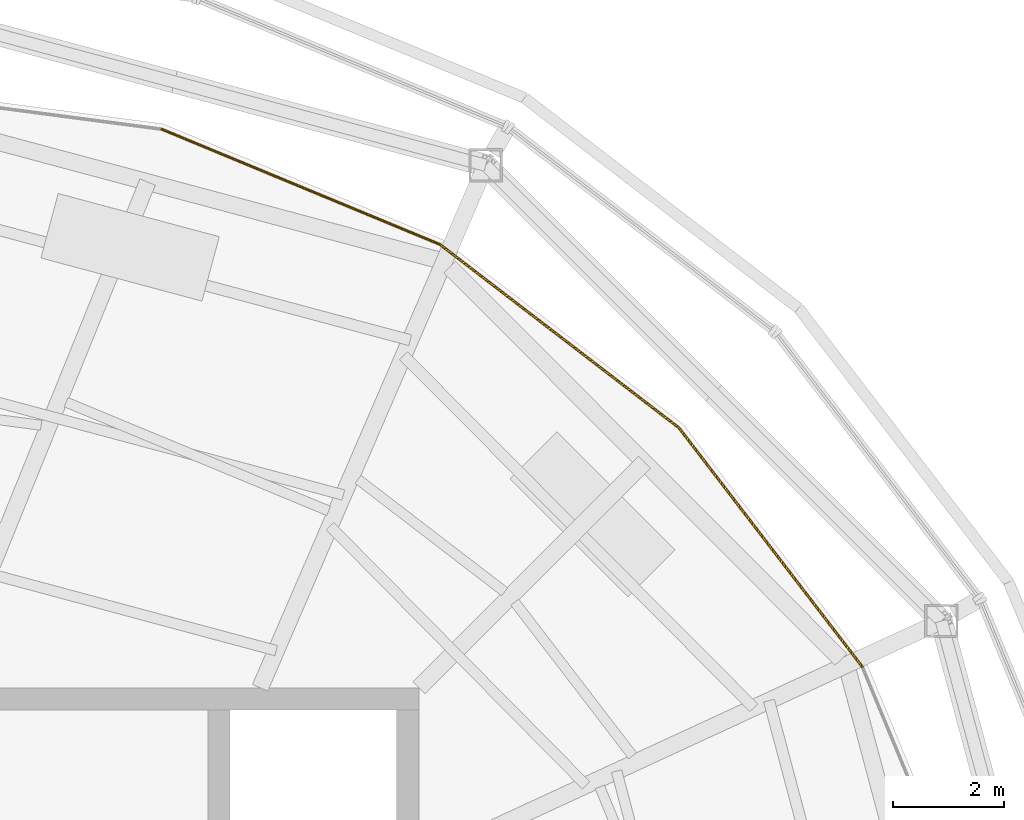
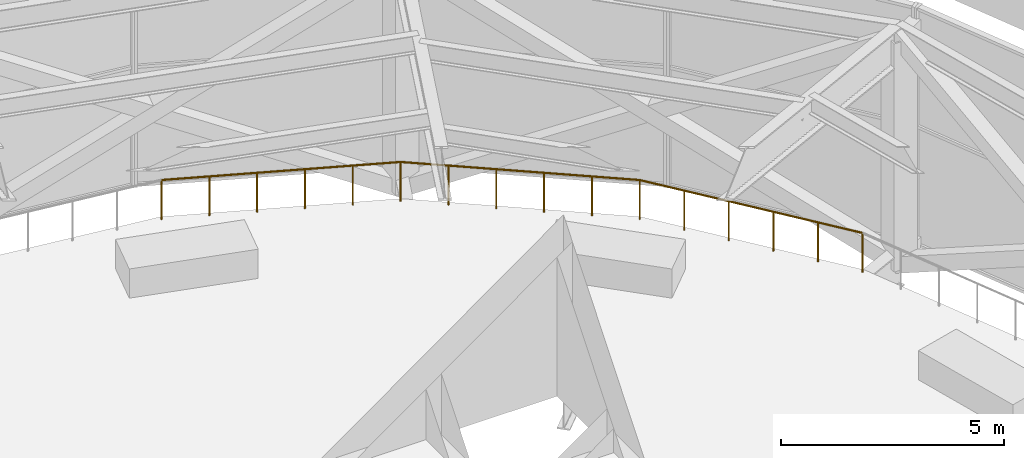
# One storey, part 12 of 13: 3 railings.
"""IFC4 building model written with IfcOpenShell, lengths in metres."""

from ifc_helpers import new_model, si_unit, direction, frame, origin, origin_2d, place, context, subcontext, project, spatial, circle, extrude, material, type_object, element, save


model = new_model("IFC4")

# Units and contexts
model_context = context("Model", 3, precision=1e-05, world=origin(), true_north=direction((0.0, 1.0)))
body_context = subcontext(model_context, "Body", "Model", "MODEL_VIEW")
ifc_project = project(units=[si_unit("LENGTHUNIT", "METRE"), si_unit("AREAUNIT", "SQUARE_METRE"), si_unit("VOLUMEUNIT", "CUBIC_METRE"), si_unit("PLANEANGLEUNIT", "RADIAN"), si_unit("MASSUNIT", "GRAM", prefix="KILO")], contexts=[model_context])

# Site, building, storey
site_placement = place(None, origin())
site = spatial("IfcSite", under=ifc_project, at=site_placement, CompositionType="ELEMENT")
building_placement = place(site_placement, origin())
building = spatial("IfcBuilding", under=site, at=building_placement, Name="Golbaran Civic Tower", CompositionType="ELEMENT")
storey_placement = place(building_placement, frame((0.0, 0.0, 284.0)))
storey = spatial("IfcBuildingStorey", under=building, at=storey_placement, Name="L69", CompositionType="ELEMENT", Elevation=284.0)

# Railings
ifc_material = material(Name="Stainless steel and glass", Category="steel")
railing_type = type_object("IfcRailingType", Name="TERRACE GUARD RAIL 1100", PredefinedType="GUARDRAIL", material=ifc_material)
railing_1_placement = place(storey_placement, frame((17.975341796875, 10.3779296875, 0.0)))
element("IfcRailing", 1, at=railing_1_placement, inside=storey, type_object=railing_type, Name="Roof terrace guard 3", PredefinedType="GUARDRAIL", context=body_context, shape_type="SweptSolid", body=[
    extrude(circle(Radius=0.02392578125, at=origin_2d()), frame((0.0, 0.0, 1.076171875), z_axis=(-0.608758774479, 0.793355377176, 0.0), x_axis=(-0.793355377176, -0.608758774479, 0.0)), (0.0, 0.0, 1.0), 5.41845703125),
    extrude(circle(Radius=0.02099609375, at=origin_2d()), origin(), (0.0, 0.0, 1.0), 1.052001953125),
    extrude(circle(Radius=0.02099609375, at=origin_2d()), frame((-0.65966796875, 0.85986328125, 0.0)), (0.0, 0.0, 1.0), 1.052001953125),
    extrude(circle(Radius=0.02099609375, at=origin_2d()), frame((-1.3193359375, 1.719482421875, 0.0)), (0.0, 0.0, 1.0), 1.052001953125),
    extrude(circle(Radius=0.02099609375, at=origin_2d()), frame((-1.979248046875, 2.579345703125, 0.0)), (0.0, 0.0, 1.0), 1.052001953125),
    extrude(circle(Radius=0.02099609375, at=origin_2d()), frame((-2.638916015625, 3.43896484375, 0.0)), (0.0, 0.0, 1.0), 1.052001953125),
    extrude(circle(Radius=0.02099609375, at=origin_2d()), frame((-3.298583984375, 4.298828125, 0.0)), (0.0, 0.0, 1.0), 1.052001953125),
])
railing_2_placement = place(storey_placement, frame((14.6767578125, 14.6767578125, 0.0)))
element("IfcRailing", 2, at=railing_2_placement, inside=storey, type_object=railing_type, Name="Roof terrace guard 4", PredefinedType="GUARDRAIL", context=body_context, shape_type="SweptSolid", body=[
    extrude(circle(Radius=0.02392578125, at=origin_2d()), frame((0.0, 0.0, 1.076171875), z_axis=(-0.793355377176, 0.608758774479, 0.0), x_axis=(-0.608758774479, -0.793355377176, 0.0)), (0.0, 0.0, 1.0), 5.41845703125),
    extrude(circle(Radius=0.02099609375, at=origin_2d()), origin(), (0.0, 0.0, 1.0), 1.052001953125),
    extrude(circle(Radius=0.02099609375, at=origin_2d()), frame((-0.85986328125, 0.65966796875, 0.0)), (0.0, 0.0, 1.0), 1.052001953125),
    extrude(circle(Radius=0.02099609375, at=origin_2d()), frame((-1.719482421875, 1.3193359375, 0.0)), (0.0, 0.0, 1.0), 1.052001953125),
    extrude(circle(Radius=0.02099609375, at=origin_2d()), frame((-2.579345703125, 1.979248046875, 0.0)), (0.0, 0.0, 1.0), 1.052001953125),
    extrude(circle(Radius=0.02099609375, at=origin_2d()), frame((-3.43896484375, 2.638916015625, 0.0)), (0.0, 0.0, 1.0), 1.052001953125),
    extrude(circle(Radius=0.02099609375, at=origin_2d()), frame((-4.298828125, 3.298583984375, 0.0)), (0.0, 0.0, 1.0), 1.052001953125),
])
railing_3_placement = place(storey_placement, frame((10.3779296875, 17.975341796875, 0.0)))
element("IfcRailing", 3, at=railing_3_placement, inside=storey, type_object=railing_type, Name="Roof terrace guard 5", PredefinedType="GUARDRAIL", context=body_context, shape_type="SweptSolid", body=[
    extrude(circle(Radius=0.02392578125, at=origin_2d()), frame((0.0, 0.0, 1.076171875), z_axis=(-0.923880088216, 0.382682090773, 0.0), x_axis=(-0.382682090773, -0.923880088216, 0.0)), (0.0, 0.0, 1.0), 5.418212890625),
    extrude(circle(Radius=0.02099609375, at=origin_2d()), origin(), (0.0, 0.0, 1.0), 1.052001953125),
    extrude(circle(Radius=0.02099609375, at=origin_2d()), frame((-1.001220703125, 0.414794921875, 0.0)), (0.0, 0.0, 1.0), 1.052001953125),
    extrude(circle(Radius=0.02099609375, at=origin_2d()), frame((-2.00244140625, 0.829345703125, 0.0)), (0.0, 0.0, 1.0), 1.052001953125),
    extrude(circle(Radius=0.02099609375, at=origin_2d()), frame((-3.00341796875, 1.244140625, 0.0)), (0.0, 0.0, 1.0), 1.052001953125),
    extrude(circle(Radius=0.02099609375, at=origin_2d()), frame((-4.004638671875, 1.65869140625, 0.0)), (0.0, 0.0, 1.0), 1.052001953125),
    extrude(circle(Radius=0.02099609375, at=origin_2d()), frame((-5.005859375, 2.073486328125, 0.0)), (0.0, 0.0, 1.0), 1.052001953125),
])

save(model, "model.ifc")
